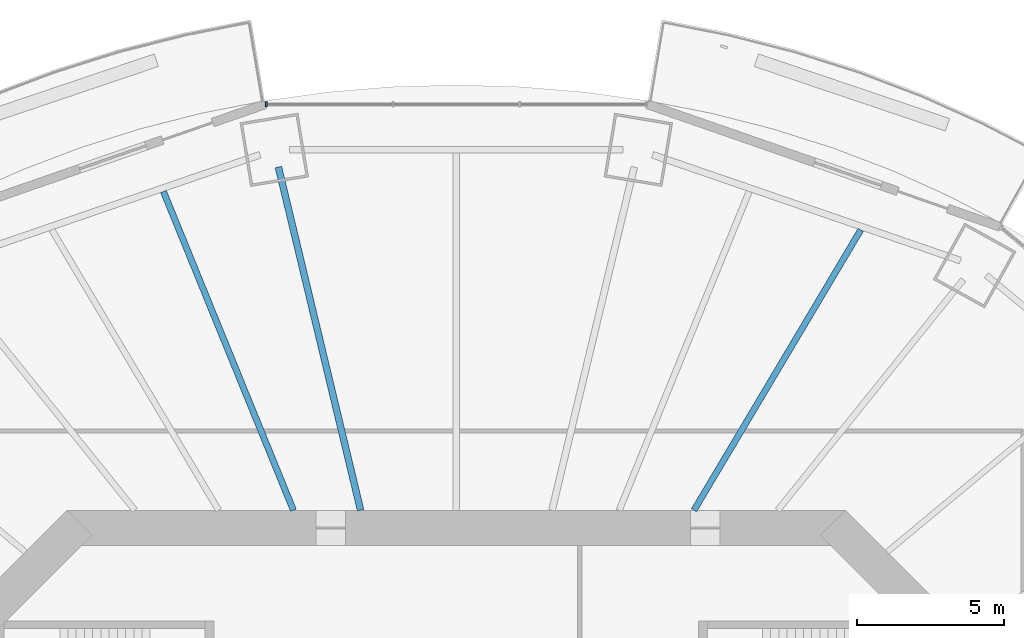
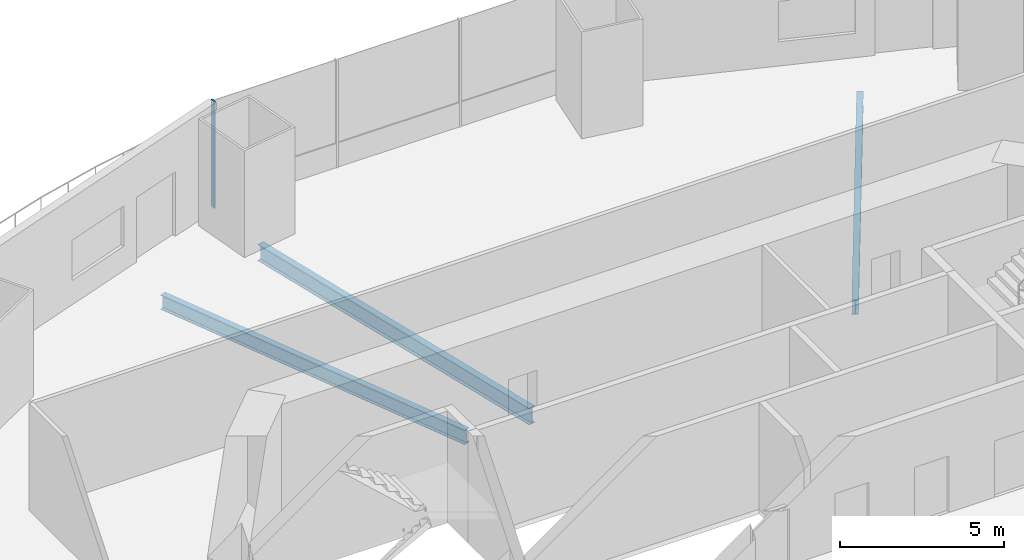
# One storey, part 7 of 20: 3 beams, 1 member, 1 element without a shape of its own.
"""IFC4 building model written with IfcOpenShell, lengths in metres."""

from ifc_helpers import new_model, si_unit, direction, frame, origin, origin_2d, place, context, subcontext, project, spatial, rectangle, i_section, extrude, material, material_profile, profile_set, type_object, element, aggregate, save


model = new_model("IFC4")

# Units and contexts
model_context = context("Model", 3, precision=1e-05, world=origin(), true_north=direction((0.0, 1.0)))
body_context = subcontext(model_context, "Body", "Model", "MODEL_VIEW")
ifc_project = project(units=[si_unit("LENGTHUNIT", "METRE"), si_unit("AREAUNIT", "SQUARE_METRE"), si_unit("VOLUMEUNIT", "CUBIC_METRE"), si_unit("PLANEANGLEUNIT", "RADIAN"), si_unit("MASSUNIT", "GRAM", prefix="KILO")], contexts=[model_context])

# Site, building, storey
site_placement = place(None, origin())
site = spatial("IfcSite", under=ifc_project, at=site_placement, CompositionType="ELEMENT")
building_placement = place(site_placement, origin())
building = spatial("IfcBuilding", under=site, at=building_placement, Name="Marenthal Gate Tower", CompositionType="ELEMENT")
storey_placement = place(building_placement, frame((0.0, 0.0, 136.75)))
storey = spatial("IfcBuildingStorey", under=building, at=storey_placement, Name="L29", CompositionType="ELEMENT", Elevation=136.75)

# Curtain wall, member
ifc_material_1 = material(Name="Aluminium and glass", Category="aluminium")
curtain_wall_type = type_object("IfcCurtainWallType", Name="Curtain wall typical low", PredefinedType="NOTDEFINED", material=ifc_material_1)
curtain_wall_placement = place(storey_placement, origin())
curtain_wall = element("IfcCurtainWall", 1, at=curtain_wall_placement, inside=storey, type_object=curtain_wall_type, Name="Curtain wall L29 bay 4", PredefinedType="NOTDEFINED")
ifc_material_2 = material(Name="Aluminium", Category="aluminium")
ifc_material_profile_1 = material_profile(ifc_material_2, rectangle(XDim=0.159912109375, YDim=0.06005859375, at=origin_2d()), Name="60x160 aluminium mullion")
ifc_profile_set_1 = profile_set([ifc_material_profile_1], Name="Aluminium")
member_type = type_object("IfcMemberType", Name="Mullion 60x160 typical low", PredefinedType="MULLION", material=ifc_profile_set_1)
member_placement = place(storey_placement, frame((-6.474609375, 27.419921875, 0.0), z_axis=(0.0, 0.0, 1.0), x_axis=(0.0, -1.0, 0.0)))
member = element("IfcMember", 2, at=member_placement, type_object=member_type, Name="Mullion L29 bay 4.4", PredefinedType="MULLION", context=body_context, shape_type="SweptSolid", body=[
    extrude(rectangle(XDim=0.159912109375, YDim=0.06005859375, at=origin_2d()), origin(), (0.0, 0.0, 1.0), 3.969970703125),
])
aggregate(curtain_wall, [member])

# Beams
ifc_material_3 = material(Name="Steel S355", Category="steel")
ifc_material_profile_2 = material_profile(ifc_material_3, i_section(OverallWidth=0.2099609375, OverallDepth=0.535888671875, WebThickness=0.010986328125, FlangeThickness=0.017333984375, FilletRadius=0.0126953125, at=origin_2d()), Name="W530X101")
ifc_profile_set_2 = profile_set([ifc_material_profile_2], Name="Steel S355")
beam_type_1 = type_object("IfcBeamType", Name="W530X101 beam", PredefinedType="BEAM", material=ifc_profile_set_2)
beam_1_placement = place(storey_placement, frame((13.769775390625, 23.14404296875, -0.447998046875), z_axis=(-0.511320752803, -0.859389950926, 0.0), x_axis=(0.859389950926, -0.511320752803, 0.0)))
element("IfcBeam", 3, at=beam_1_placement, inside=storey, type_object=beam_type_1, Name="BM-L29-20", PredefinedType="BEAM", context=body_context, shape_type="SweptSolid", body=[
    extrude(i_section(OverallWidth=0.2099609375, OverallDepth=0.535888671875, WebThickness=0.010986328125, FlangeThickness=0.017333984375, FilletRadius=0.0126953125, at=origin_2d()), origin(), (0.0, 0.0, 1.0), 11.10546875),
])
ifc_material_4 = material(Name="Steel S355", Category="steel")
ifc_material_profile_3 = material_profile(ifc_material_4, i_section(OverallWidth=0.2119140625, OverallDepth=0.5439453125, WebThickness=0.01318359375, FlangeThickness=0.021240234375, FilletRadius=0.0126953125, at=origin_2d()), Name="W530X123")
ifc_profile_set_3 = profile_set([ifc_material_profile_3], Name="Steel S355")
beam_type_2 = type_object("IfcBeamType", Name="W530X123 beam", PredefinedType="BEAM", material=ifc_profile_set_3)
beam_2_placement = place(storey_placement, frame((-9.9697265625, 24.451171875, -0.451904296875), z_axis=(0.377553645664, -0.92598771301, 0.0), x_axis=(0.92598771301, 0.377553645664, 0.0)))
element("IfcBeam", 4, at=beam_2_placement, inside=storey, type_object=beam_type_2, Name="BM-L29-23", PredefinedType="BEAM", context=body_context, shape_type="SweptSolid", body=[
    extrude(i_section(OverallWidth=0.2119140625, OverallDepth=0.5439453125, WebThickness=0.01318359375, FlangeThickness=0.021240234375, FilletRadius=0.0126953125, at=origin_2d()), origin(), (0.0, 0.0, 1.0), 11.71826171875),
])
ifc_material_5 = material(Name="Steel S355", Category="steel")
ifc_material_profile_4 = material_profile(ifc_material_5, i_section(OverallWidth=0.22900390625, OverallDepth=0.612060546875, WebThickness=0.011962890625, FlangeThickness=0.01953125, FilletRadius=0.0126953125, at=origin_2d()), Name="W610X125")
ifc_profile_set_4 = profile_set([ifc_material_profile_4], Name="Steel S355")
beam_type_3 = type_object("IfcBeamType", Name="W610X125 beam", PredefinedType="BEAM", material=ifc_profile_set_4)
beam_3_placement = place(storey_placement, frame((-6.05615234375, 25.283935546875, -0.486083984375), z_axis=(0.232937154271, -0.972491790279, 0.0), x_axis=(0.972491790279, 0.232937154271, 0.0)))
element("IfcBeam", 5, at=beam_3_placement, inside=storey, type_object=beam_type_3, Name="BM-L29-05", PredefinedType="BEAM", context=body_context, shape_type="SweptSolid", body=[
    extrude(i_section(OverallWidth=0.22900390625, OverallDepth=0.612060546875, WebThickness=0.011962890625, FlangeThickness=0.01953125, FilletRadius=0.0126953125, at=origin_2d()), origin(), (0.0, 0.0, 1.0), 12.014404296875),
])

save(model, "model.ifc")
